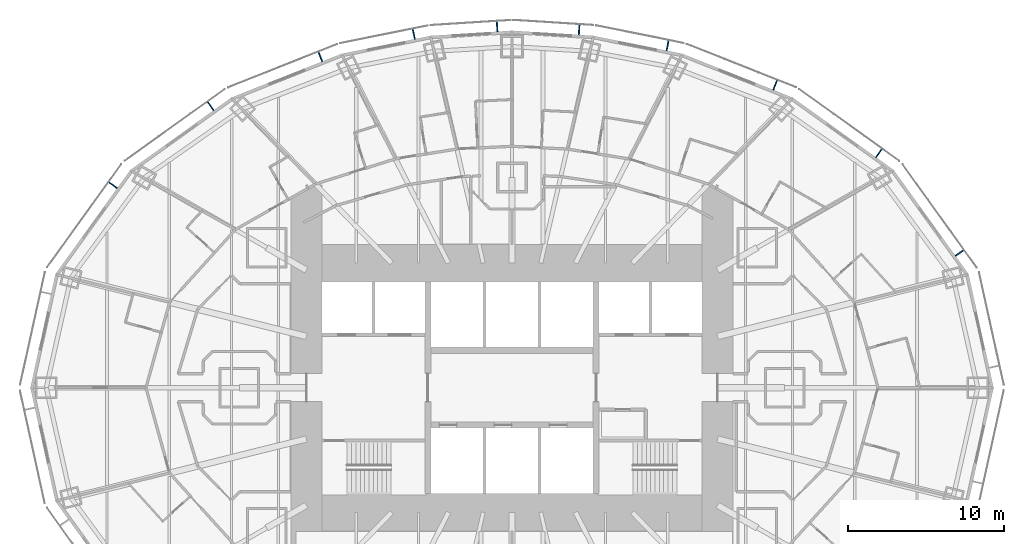
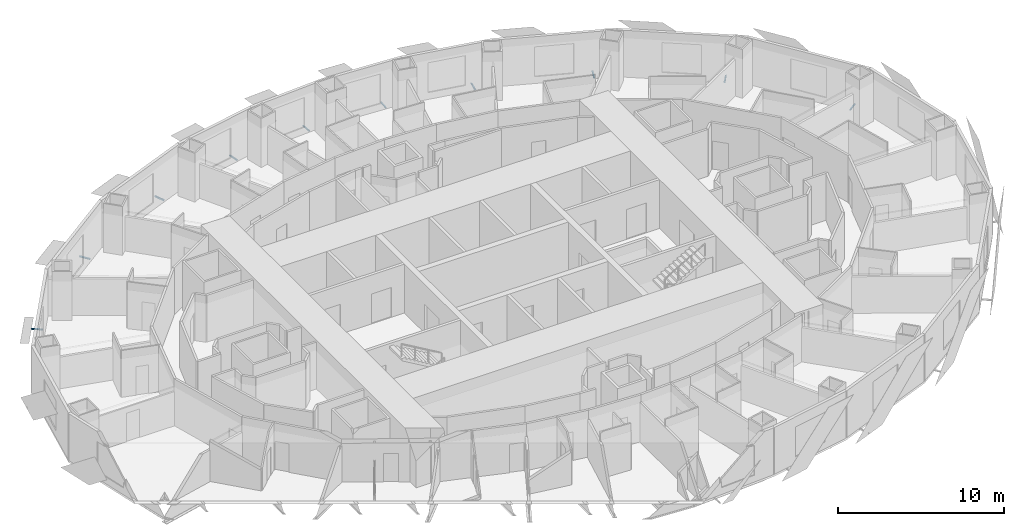
# One storey, part 13 of 17: 10 discrete accessories.
"""IFC4 building model written with IfcOpenShell, lengths in metres."""

import ifcopenshell
import ifcopenshell.guid

model = None  # the IFC model being written
_history = None  # IfcOwnerHistory: only IFC2X3 demands one
_inside = {}  # id of a spatial element -> (the spatial element, [elements in it])
_under = {}  # id of a project, library or spatial element -> (it, [spatial elements below it])
_declared = {}  # id of a project -> (the project, [libraries it declares])
_typed = {}  # id of a type object -> (the type object, [elements of that type])
_made_of = {}  # id of a material, layer set ... -> (it, [elements and type objects made of it])


def new_model(schema):
    """Start an empty IFC model of exactly this schema.

    Asked for "IFC4X3", IfcOpenShell would pick the latest addendum, in which some entities
    have other attributes; the version numbers below select the first issue.
    IFC2X3 requires an IfcOwnerHistory on every rooted entity: one is made here for all.
    """
    global model, _history
    if schema == "IFC4X3":
        model = ifcopenshell.file(schema_version=(4, 3, 0, 0))
    else:
        model = ifcopenshell.file(schema=schema)
    _inside.clear()
    _under.clear()
    _declared.clear()
    _typed.clear()
    _made_of.clear()
    _history = None
    if model.schema == "IFC2X3":
        org = make("IfcOrganization", Name="unknown")
        user = make(
            "IfcPersonAndOrganization",
            ThePerson=make("IfcPerson", FamilyName="unknown"),
            TheOrganization=org,
        )
        app = make(
            "IfcApplication",
            ApplicationDeveloper=org,
            Version="unknown",
            ApplicationFullName="unknown",
            ApplicationIdentifier="unknown",
        )
        _history = make(
            "IfcOwnerHistory",
            OwningUser=user,
            OwningApplication=app,
            ChangeAction="ADDED",
            CreationDate=0,
        )
    return model


def make(cls, **values):
    """One entity of the class cls with the attributes given. An attribute that is None is left unset."""
    return model.create_entity(
        cls, **{name: value for name, value in values.items() if value is not None}
    )


def rooted(cls, **values):
    """An entity with a GlobalId (a new one), such as an element, a storey or a relation."""
    return make(cls, GlobalId=ifcopenshell.guid.new(), OwnerHistory=_history, **values)


def si_unit(unit_type, name, prefix=None):
    """IfcSIUnit, for example si_unit("LENGTHUNIT", "METRE", prefix="MILLI")."""
    return make("IfcSIUnit", UnitType=unit_type, Prefix=prefix, Name=name)


def assignment(units):
    """IfcUnitAssignment: the units of a project."""
    return None if units is None else make("IfcUnitAssignment", Units=units)


def point(xyz):
    """IfcCartesianPoint."""
    return None if xyz is None else make("IfcCartesianPoint", Coordinates=xyz)


def direction(xyz):
    """IfcDirection."""
    return None if xyz is None else make("IfcDirection", DirectionRatios=xyz)


def frame(location, z_axis=None, x_axis=None):
    """IfcAxis2Placement3D, a coordinate frame: its origin and axes. An axis left out is left unset."""
    return make(
        "IfcAxis2Placement3D",
        Location=point(location),
        Axis=direction(z_axis),
        RefDirection=direction(x_axis),
    )


def frame_2d(location, x_axis=None):
    """IfcAxis2Placement2D, a coordinate frame in the plane: its origin and x axis."""
    return make(
        "IfcAxis2Placement2D", Location=point(location), RefDirection=direction(x_axis)
    )


def origin():
    """The frame at (0, 0, 0) with its axes left unset."""
    return frame((0.0, 0.0, 0.0))


def origin_2d():
    """The frame at (0, 0) in the plane with its x axis left unset."""
    return frame_2d((0.0, 0.0))


def place(relative_to, where):
    """IfcLocalPlacement: puts the frame where relative to a parent placement (None: the world)."""
    return make(
        "IfcLocalPlacement", PlacementRelTo=relative_to, RelativePlacement=where
    )


def context(
    kind, dimensions, precision=None, world=None, true_north=None, identifier=None
):
    """IfcGeometricRepresentationContext, for example the 3D "Model" context."""
    return make(
        "IfcGeometricRepresentationContext",
        ContextIdentifier=identifier,
        ContextType=kind,
        CoordinateSpaceDimension=dimensions,
        Precision=precision,
        WorldCoordinateSystem=world,
        TrueNorth=true_north,
    )


def subcontext(parent, identifier, kind, view, scale=None):
    """IfcGeometricRepresentationSubContext, for example "Body" below "Model"."""
    return make(
        "IfcGeometricRepresentationSubContext",
        ContextIdentifier=identifier,
        ContextType=kind,
        ParentContext=parent,
        TargetScale=scale,
        TargetView=view,
    )


def project(units=None, contexts=None):
    """IfcProject with its units and contexts."""
    return rooted(
        "IfcProject",
        Name="project",
        RepresentationContexts=contexts,
        UnitsInContext=assignment(units),
    )


def spatial(cls, under=None, at=None, **own):
    """A site, building, storey or space (cls), placed at a placement, below another one or the project."""
    s = rooted(cls, ObjectPlacement=at, **own)
    if under is not None:
        _under.setdefault(under.id(), (under, []))[1].append(s)
    return s


def profile(cls, at=None, kind="AREA", **sizes):
    """A parametric profile (cls). Its sizes go by their IFC names, for example OverallWidth=200.0."""
    return make(cls, ProfileType=kind, Position=at, **sizes)


def rectangle(**sizes):
    """IfcRectangleProfileDef."""
    return profile("IfcRectangleProfileDef", **sizes)


def extrude(swept, where, along, depth):
    """IfcExtrudedAreaSolid: the profile swept, set in the frame where, extruded along a direction by depth."""
    return make(
        "IfcExtrudedAreaSolid",
        SweptArea=swept,
        Position=where,
        ExtrudedDirection=direction(along),
        Depth=depth,
    )


def shape(context_of_items, identifier, shape_type, items):
    """IfcShapeRepresentation: the items that make up one representation, for example the "Body"."""
    return make(
        "IfcShapeRepresentation",
        ContextOfItems=context_of_items,
        RepresentationIdentifier=identifier,
        RepresentationType=shape_type,
        Items=items,
    )


def made_of(thing, what):
    """Note that an element or type object is made of a material, layer set ...; save() writes the relation."""
    if what is not None:
        _made_of.setdefault(what.id(), (what, []))[1].append(thing)
    return thing


def element(
    cls,
    number,
    at=None,
    inside=None,
    cuts=None,
    type_object=None,
    material=None,
    context=None,
    identifier="Body",
    shape_type=None,
    held_by="IfcProductDefinitionShape",
    body=None,
    shapes=None,
    **own,
):
    """One element of the class cls, such as IfcWall. Its Tag is "e" and its number.

    at: its placement. inside: the storey or other place that contains it. cuts: it is an
    opening in that element (IfcRelVoidsElement). A single representation is given by context,
    identifier, shape_type and body (its items); several are given by shapes. held_by: the class
    of the entity that holds the representations. save() writes the other relations.
    """
    e = rooted(cls, Tag="e%d" % number, ObjectPlacement=at, **own)
    if body is not None:
        shapes = [shape(context, identifier, shape_type, body)]
    if shapes is not None:
        e.Representation = make(held_by, Representations=shapes)
    if inside is not None:
        _inside.setdefault(inside.id(), (inside, []))[1].append(e)
    if cuts is not None:
        rooted(
            "IfcRelVoidsElement", RelatingBuildingElement=cuts, RelatedOpeningElement=e
        )
    if type_object is not None:
        _typed.setdefault(type_object.id(), (type_object, []))[1].append(e)
    return made_of(e, material)


def aggregate(whole, parts):
    """IfcRelAggregates: a whole, such as a stair, and the parts it consists of."""
    return rooted("IfcRelAggregates", RelatingObject=whole, RelatedObjects=parts)


def save(model, path):
    """Write the relations noted so far, then the file.

    IfcRelAggregates (storeys below a building ...), IfcRelContainedInSpatialStructure (elements
    in a storey), IfcRelDefinesByType, IfcRelAssociatesMaterial and IfcRelDeclares: one each for
    every whole, place, type object, material and project.
    """
    for whole, parts in _under.values():
        aggregate(whole, parts)
    for where, things in _inside.values():
        rooted(
            "IfcRelContainedInSpatialStructure",
            RelatedElements=things,
            RelatingStructure=where,
        )
    for kind, things in _typed.values():
        rooted("IfcRelDefinesByType", RelatedObjects=things, RelatingType=kind)
    for what, things in _made_of.values():
        rooted("IfcRelAssociatesMaterial", RelatedObjects=things, RelatingMaterial=what)
    for by, libraries in _declared.values():
        rooted("IfcRelDeclares", RelatingContext=by, RelatedDefinitions=libraries)
    model.write(path)


model = new_model("IFC4")

# Units and contexts
model_context = context("Model", 3, precision=1e-05, world=origin(), true_north=direction((0.0, 1.0)))
body_context = subcontext(model_context, "Body", "Model", "MODEL_VIEW")
ifc_project = project(units=[si_unit("LENGTHUNIT", "METRE"), si_unit("AREAUNIT", "SQUARE_METRE"), si_unit("VOLUMEUNIT", "CUBIC_METRE"), si_unit("PLANEANGLEUNIT", "RADIAN"), si_unit("MASSUNIT", "GRAM", prefix="KILO")], contexts=[model_context])

# Site, building, storey
site_placement = place(None, origin())
site = spatial("IfcSite", under=ifc_project, at=site_placement, CompositionType="ELEMENT")
building_placement = place(site_placement, origin())
building = spatial("IfcBuilding", under=site, at=building_placement, Name="Lantaw Convention Tower", CompositionType="ELEMENT")
storey_placement = place(building_placement, frame((0.0, 0.0, 37.0)))
storey = spatial("IfcBuildingStorey", under=building, at=storey_placement, Name="L06", CompositionType="ELEMENT", Elevation=37.0)

# Discrete accessories
for number, where, z_axis, x_axis, name in (
    (1, (28.745849609375, 8.65869140625, -0.114990234375), (0.0, 0.0, 1.0), (-0.583951250436, 0.811788726895, 0.0), "Screen bracket"),
    (2, (23.564453125, 15.06640625, -0.114990234375), (0.0, 0.0, 1.0), (-0.812803733199, 0.5825376308, 0.0), "Screen bracket"),
    (3, (16.898193359375, 19.4345703125, -0.114990234375), (0.0, 0.0, 1.0), (-0.929361152748, 0.369171840425, 0.0), "Screen bracket"),
    (4, (9.990478515625, 21.974365234375, -0.114990234375), (0.0, 0.0, 1.0), (-0.980244604501, 0.197789067813, 0.0), "Screen bracket"),
    (5, (4.310302734375, 22.987548828125, -0.114990234375), (0.0, 0.0, 1.0), (-0.998016153807, 0.062958373078, 0.0), "Screen bracket"),
    (6, (-0.9560546875, 23.19921875, -0.114990234375), (0.0, 0.0, 1.0), (-0.998016153807, -0.062958373078, 0.0), "Screen bracket"),
    (7, (-6.307861328125, 22.71728515625, -0.114990234375), (0.0, 0.0, 1.0), (-0.980244604501, -0.197789067813, 0.0), "Screen bracket"),
    (8, (-12.309814453125, 21.25732421875, -0.114990234375), (0.0, 0.0, 1.0), (-0.929361152748, -0.369171840425, 0.0), "Screen bracket"),
    (9, (-19.352294921875, 18.085205078125, -0.114990234375), (0.0, 0.0, 1.0), (-0.812803733199, -0.5825376308, 0.0), "Screen bracket"),
    (10, (-25.61962890625, 13.004638671875, -0.114990234375), (0.0, 0.0, 1.0), (-0.583951250436, -0.811788726895, 0.0), "Screen bracket"),
):
    element("IfcDiscreteAccessory", number, at=place(storey_placement, frame(where, z_axis=z_axis, x_axis=x_axis)), inside=storey, Name=name, PredefinedType="BRACKET", context=body_context, shape_type="SweptSolid", body=[
        extrude(rectangle(XDim=0.080078125, YDim=0.68798828125, at=origin_2d()), origin(), (0.0, 0.0, 1.0), 0.080078125),
    ])

save(model, "model.ifc")
